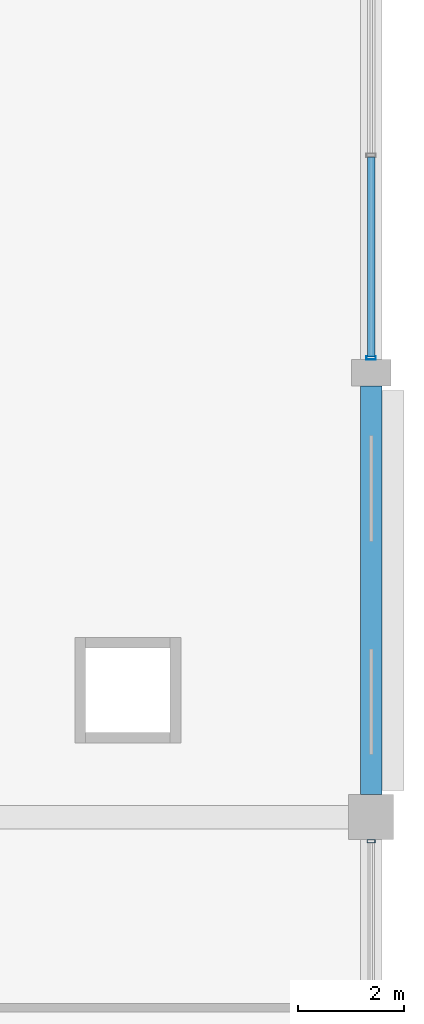
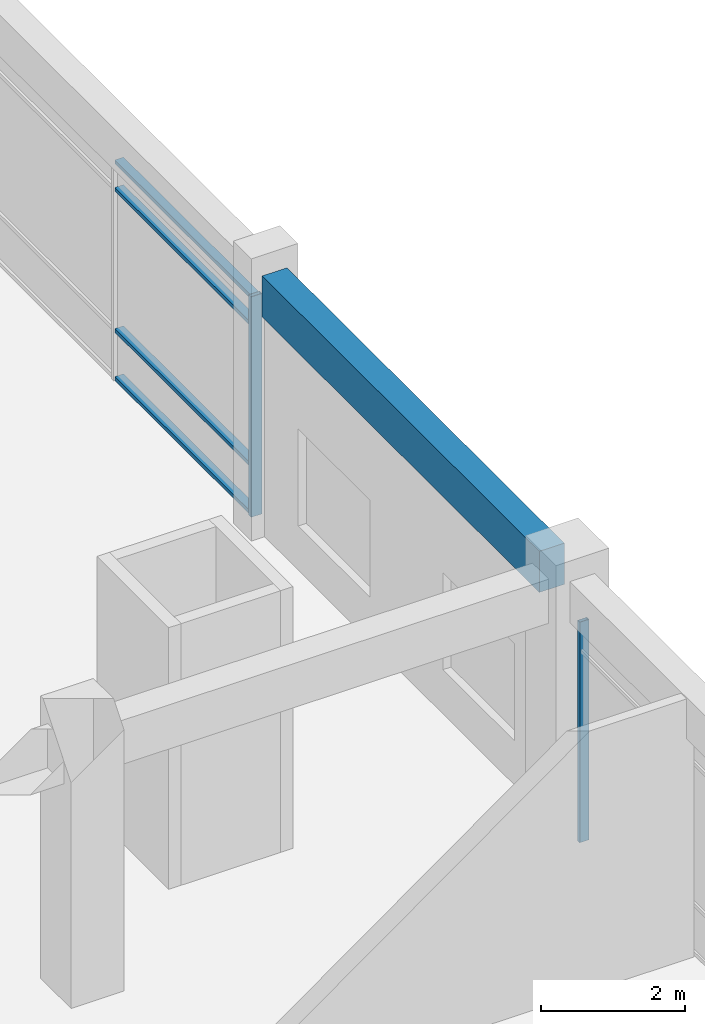
# One storey, part 44 of 79: 6 members, 1 beam, 2 elements without a shape of their own.
"""IFC4 building model written with IfcOpenShell, lengths in metres."""

from ifc_helpers import new_model, si_unit, direction, frame, origin, origin_2d, place, context, subcontext, project, spatial, rectangle, hollow_rectangle, extrude, material, material_profile, profile_set, type_object, element, aggregate, save


model = new_model("IFC4")

# Units and contexts
model_context = context("Model", 3, precision=1e-05, world=origin(), true_north=direction((0.0, 1.0)))
body_context = subcontext(model_context, "Body", "Model", "MODEL_VIEW")
ifc_project = project(units=[si_unit("LENGTHUNIT", "METRE"), si_unit("AREAUNIT", "SQUARE_METRE"), si_unit("VOLUMEUNIT", "CUBIC_METRE"), si_unit("PLANEANGLEUNIT", "RADIAN"), si_unit("MASSUNIT", "GRAM", prefix="KILO"), si_unit("THERMODYNAMICTEMPERATUREUNIT", "KELVIN"), si_unit("POWERUNIT", "WATT")], contexts=[model_context])

# Site, building, storey
site_placement = place(None, origin())
site = spatial("IfcSite", under=ifc_project, at=site_placement, CompositionType="ELEMENT")
building_placement = place(site_placement, origin())
building = spatial("IfcBuilding", under=site, at=building_placement, Name="Srebrne Nadtorze General Hospital", CompositionType="ELEMENT")
storey_placement = place(building_placement, frame((0.0, 0.0, 4.800048828125)))
storey = spatial("IfcBuildingStorey", under=building, at=storey_placement, Name="L01", CompositionType="ELEMENT", Elevation=4.800048828125)

# Curtain wall, member
ifc_material_1 = material(Name="Anodised Aluminium", Category="aluminium")
curtain_wall_type = type_object("IfcCurtainWallType", Name="Unitised curtain wall 7725x3750", PredefinedType="NOTDEFINED", material=ifc_material_1)
curtain_wall_1_placement = place(storey_placement, origin())
curtain_wall_1 = element("IfcCurtainWall", 1, at=curtain_wall_1_placement, inside=storey, type_object=curtain_wall_type, Name="Curtain wall CW-066", PredefinedType="NOTDEFINED")
ifc_material_2 = material(Name="Anodised Aluminium", Category="aluminium")
ifc_material_profile_1 = material_profile(ifc_material_2, hollow_rectangle(XDim=0.06005859375, YDim=0.14990234375, WallThickness=0.00390625, at=origin_2d()), Name="AL-MUL-60x150")
ifc_profile_set_1 = profile_set([ifc_material_profile_1], Name="Anodised Aluminium")
member_type_1 = type_object("IfcMemberType", Name="Curtain mullion 60x150", PredefinedType="MULLION", material=ifc_profile_set_1)
member_1_placement = place(storey_placement, frame((171.60009765625, 49.945068359375, 0.0), z_axis=(0.0, 0.0, 1.0), x_axis=(0.0, 1.0, 0.0)))
member_1 = element("IfcMember", 2, at=member_1_placement, type_object=member_type_1, Name="CW-066 mullion 3", PredefinedType="MULLION", context=body_context, shape_type="SweptSolid", body=[
    extrude(hollow_rectangle(XDim=0.06005859375, YDim=0.14990234375, WallThickness=0.00390625, at=origin_2d()), origin(), (0.0, 0.0, 1.0), 3.75),
])
aggregate(curtain_wall_1, [member_1])

# Curtain wall, members
curtain_wall_2_placement = place(storey_placement, origin())
curtain_wall_2 = element("IfcCurtainWall", 3, at=curtain_wall_2_placement, inside=storey, type_object=curtain_wall_type, Name="Curtain wall CW-067", PredefinedType="NOTDEFINED")
ifc_material_3 = material(Name="Anodised Aluminium", Category="aluminium")
ifc_material_profile_2 = material_profile(ifc_material_3, hollow_rectangle(XDim=0.06494140625, YDim=0.179931640625, WallThickness=0.00390625, at=origin_2d()), Name="AL-MUL-65x180")
ifc_profile_set_2 = profile_set([ifc_material_profile_2], Name="Anodised Aluminium")
member_type_2 = type_object("IfcMemberType", Name="Curtain mullion 65x180", PredefinedType="MULLION", material=ifc_profile_set_2)
member_2_placement = place(storey_placement, frame((171.60009765625, 59.08251953125, 0.0), z_axis=(0.0, 0.0, 1.0), x_axis=(0.0, 1.0, 0.0)))
member_2 = element("IfcMember", 4, at=member_2_placement, type_object=member_type_2, Name="CW-067 mullion 1", PredefinedType="MULLION", context=body_context, shape_type="SweptSolid", body=[
    extrude(hollow_rectangle(XDim=0.06494140625, YDim=0.179931640625, WallThickness=0.00390625, at=origin_2d()), origin(), (0.0, 0.0, 1.0), 3.75),
])
ifc_material_4 = material(Name="Anodised Aluminium", Category="aluminium")
ifc_material_profile_3 = material_profile(ifc_material_4, hollow_rectangle(XDim=0.06494140625, YDim=0.139892578125, WallThickness=0.00390625, at=origin_2d()), Name="AL-TRN-65x140")
ifc_profile_set_3 = profile_set([ifc_material_profile_3], Name="Anodised Aluminium")
member_type_3 = type_object("IfcMemberType", Name="Curtain transom 65x140", PredefinedType="USERDEFINED", material=ifc_profile_set_3)
member_3_placement = place(storey_placement, frame((171.60009765625, 59.114990234375, 0.032470703125), z_axis=(0.0, 1.0, 0.0), x_axis=(0.0, 0.0, 1.0)))
member_3 = element("IfcMember", 5, at=member_3_placement, type_object=member_type_3, Name="CW-067 transom 1.1", ObjectType="TRANSOM", PredefinedType="USERDEFINED", context=body_context, shape_type="SweptSolid", body=[
    extrude(hollow_rectangle(XDim=0.06494140625, YDim=0.139892578125, WallThickness=0.00390625, at=origin_2d()), origin(), (0.0, 0.0, 1.0), 3.764892578125),
])
member_4_placement = place(storey_placement, frame((171.60009765625, 59.114990234375, 0.849853515625), z_axis=(0.0, 1.0, 0.0), x_axis=(0.0, 0.0, 1.0)))
member_4 = element("IfcMember", 6, at=member_4_placement, type_object=member_type_3, Name="CW-067 transom 1.2", ObjectType="TRANSOM", PredefinedType="USERDEFINED", context=body_context, shape_type="SweptSolid", body=[
    extrude(hollow_rectangle(XDim=0.06494140625, YDim=0.139892578125, WallThickness=0.00390625, at=origin_2d()), origin(), (0.0, 0.0, 1.0), 3.764892578125),
])
member_5_placement = place(storey_placement, frame((171.60009765625, 59.114990234375, 3.25), z_axis=(0.0, 1.0, 0.0), x_axis=(0.0, 0.0, 1.0)))
member_5 = element("IfcMember", 7, at=member_5_placement, type_object=member_type_3, Name="CW-067 transom 1.3", ObjectType="TRANSOM", PredefinedType="USERDEFINED", context=body_context, shape_type="SweptSolid", body=[
    extrude(hollow_rectangle(XDim=0.06494140625, YDim=0.139892578125, WallThickness=0.00390625, at=origin_2d()), origin(), (0.0, 0.0, 1.0), 3.764892578125),
])
member_6_placement = place(storey_placement, frame((171.60009765625, 59.114990234375, 3.717529296875), z_axis=(0.0, 1.0, 0.0), x_axis=(0.0, 0.0, 1.0)))
member_6 = element("IfcMember", 8, at=member_6_placement, type_object=member_type_3, Name="CW-067 transom 1.4", ObjectType="TRANSOM", PredefinedType="USERDEFINED", context=body_context, shape_type="SweptSolid", body=[
    extrude(hollow_rectangle(XDim=0.06494140625, YDim=0.139892578125, WallThickness=0.00390625, at=origin_2d()), origin(), (0.0, 0.0, 1.0), 3.764892578125),
])
aggregate(curtain_wall_2, [member_2, member_3, member_4, member_5, member_6])

# Beam
ifc_material_5 = material(Name="Concrete C40/50", Category="concrete")
ifc_material_profile_4 = material_profile(ifc_material_5, rectangle(XDim=0.39990234375, YDim=0.699951171875, at=origin_2d()), Name="RC-BM-400x700")
ifc_profile_set_4 = profile_set([ifc_material_profile_4], Name="Concrete C40/50")
beam_type = type_object("IfcBeamType", Name="Edge beam RC 400x700", PredefinedType="BEAM", material=ifc_profile_set_4)
beam_placement = place(storey_placement, frame((171.60009765625, 50.824951171875, 4.099853515625), z_axis=(0.0, 1.0, 0.0), x_axis=(-1.0, 0.0, 0.0)))
element("IfcBeam", 9, at=beam_placement, inside=storey, type_object=beam_type, Name="Beam BM-L01-Y-0550", PredefinedType="BEAM", context=body_context, shape_type="SweptSolid", body=[
    extrude(rectangle(XDim=0.39990234375, YDim=0.699951171875, at=origin_2d()), origin(), (0.0, 0.0, 1.0), 7.72509765625),
])

save(model, "model.ifc")
